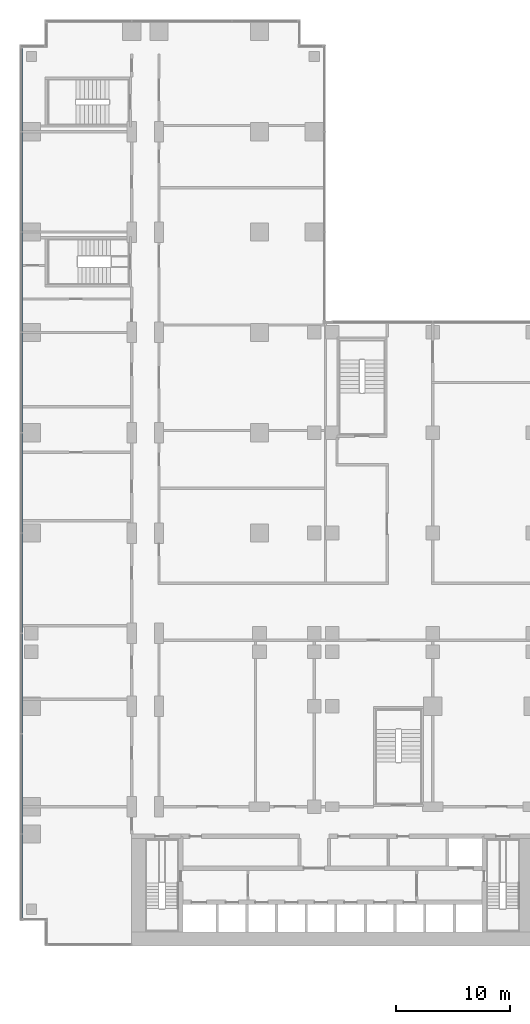
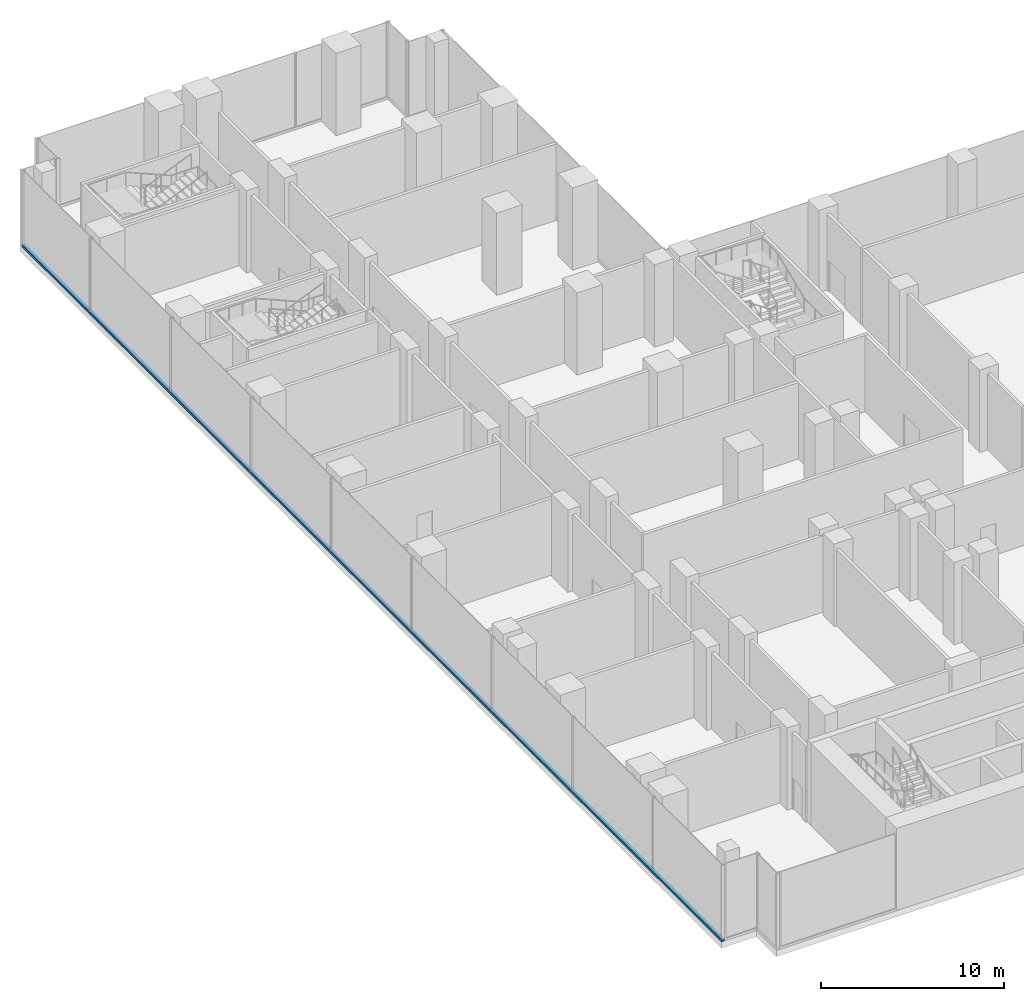
# One storey, part 6 of 30: 1 member, 1 element without a shape of its own.
"""IFC4 building model written with IfcOpenShell, lengths in metres."""

from ifc_helpers import new_model, si_unit, direction, frame, origin, origin_2d, place, context, subcontext, project, spatial, rectangle, extrude, material, material_profile, profile_set, type_object, element, aggregate, save


model = new_model("IFC4")

# Units and contexts
model_context = context("Model", 3, precision=1e-05, world=origin(), true_north=direction((0.0, 1.0)))
body_context = subcontext(model_context, "Body", "Model", "MODEL_VIEW")
ifc_project = project(units=[si_unit("LENGTHUNIT", "METRE"), si_unit("AREAUNIT", "SQUARE_METRE"), si_unit("VOLUMEUNIT", "CUBIC_METRE"), si_unit("PLANEANGLEUNIT", "RADIAN"), si_unit("MASSUNIT", "GRAM", prefix="KILO")], contexts=[model_context])

# Site, building, storey
site_placement = place(None, origin())
site = spatial("IfcSite", under=ifc_project, at=site_placement, CompositionType="ELEMENT")
building_placement = place(site_placement, origin())
building = spatial("IfcBuilding", under=site, at=building_placement, Name="Kemantara Hotel Tower", CompositionType="ELEMENT")
storey_placement = place(building_placement, frame((0.0, 0.0, 7.5)))
storey = spatial("IfcBuildingStorey", under=building, at=storey_placement, Name="L01", CompositionType="ELEMENT", Elevation=7.5)

# Curtain wall, member
ifc_material_1 = material(Name="Laminated tinted insulated glass 44 mm", Category="glass")
curtain_wall_type = type_object("IfcCurtainWallType", Name="PODIUM GLASS CURTAIN WALL", PredefinedType="USERDEFINED", material=ifc_material_1)
curtain_wall_placement = place(storey_placement, origin())
curtain_wall = element("IfcCurtainWall", 1, at=curtain_wall_placement, inside=storey, type_object=curtain_wall_type, Name="CW1 L01 POD-R16-1", ObjectType="PODIUM GLASS CURTAIN WALL", PredefinedType="USERDEFINED")
ifc_material_2 = material(Name="Aluminium 6063-T6 bronze anodised", Category="aluminium")
ifc_material_profile = material_profile(ifc_material_2, rectangle(XDim=0.199951171875, YDim=0.14990234375, at=origin_2d()), Name="PODIUM GLASS CURTAIN WALL TRANSOM")
ifc_profile_set = profile_set([ifc_material_profile], Name="Aluminium 6063-T6 bronze anodised")
member_type = type_object("IfcMemberType", Name="PODIUM GLASS CURTAIN WALL TRANSOM", PredefinedType="USERDEFINED", material=ifc_profile_set)
member_placement = place(storey_placement, frame((0.10009765625, 78.800048828125, 0.074951171875), z_axis=(0.0, -1.0, 0.0), x_axis=(1.0, 0.0, 0.0)))
member = element("IfcMember", 2, at=member_placement, type_object=member_type, Name="CW1 sill transom POD-R16-1", ObjectType="TRANSOM", PredefinedType="USERDEFINED", context=body_context, shape_type="SweptSolid", body=[
    extrude(rectangle(XDim=0.199951171875, YDim=0.14990234375, at=origin_2d()), origin(), (0.0, 0.0, 1.0), 76.60009765625),
])
aggregate(curtain_wall, [member])

save(model, "model.ifc")
